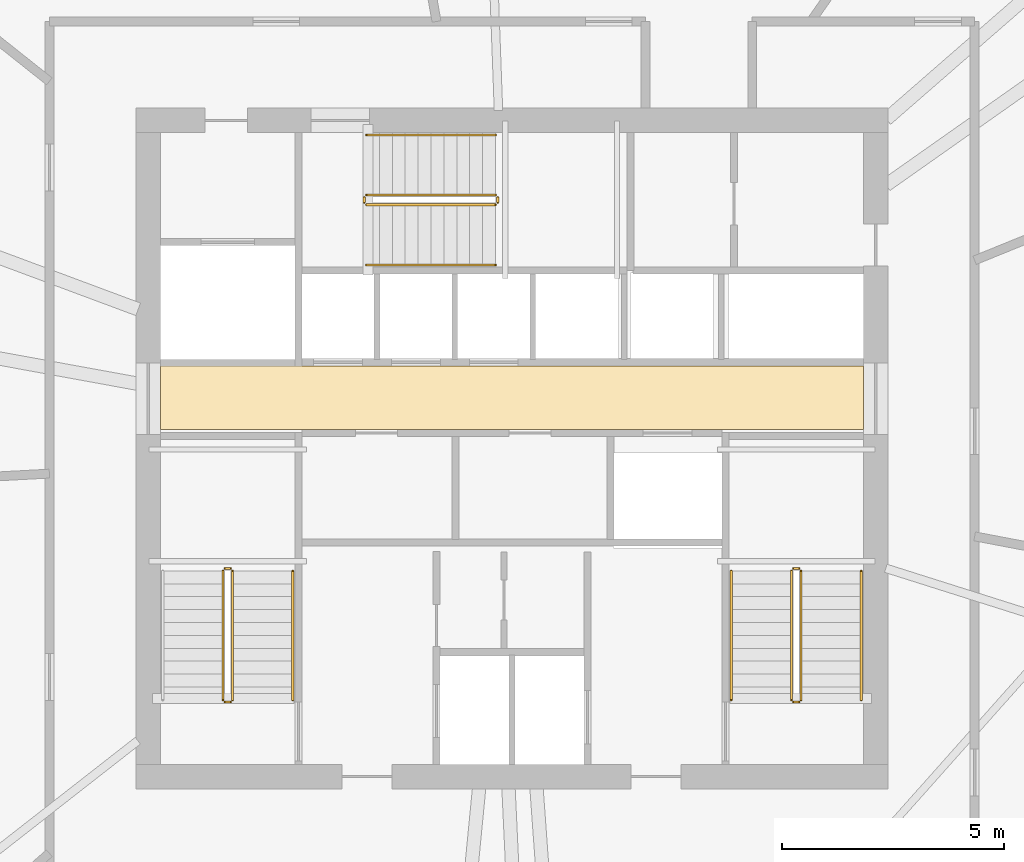
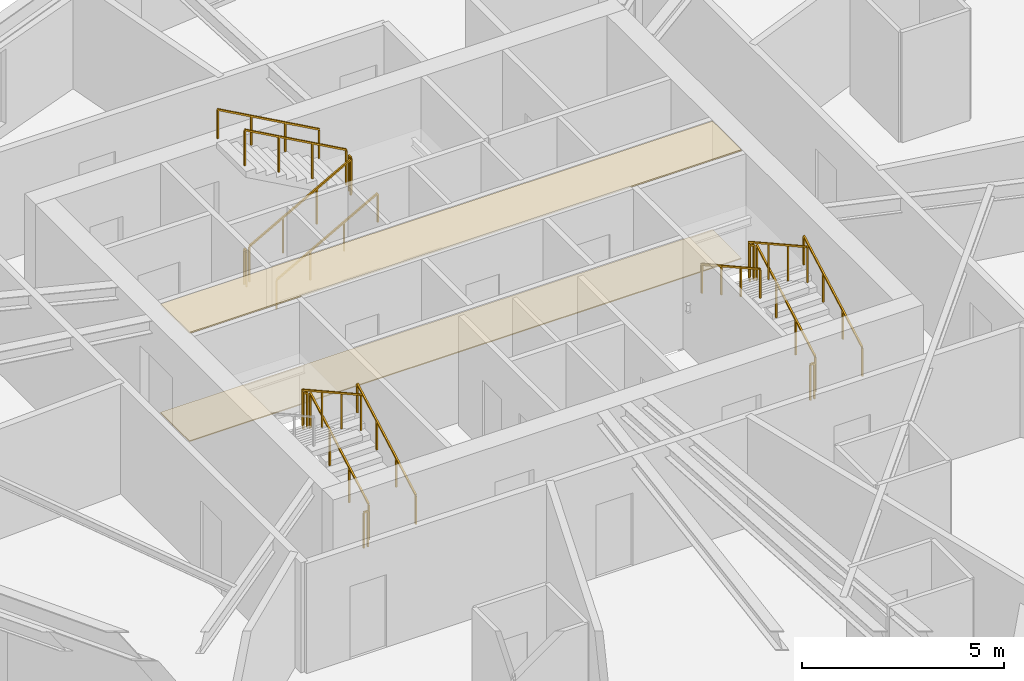
# One storey, part 13 of 14: 17 railings, 2 coverings.
"""IFC4 building model written with IfcOpenShell, lengths in metres."""

from ifc_helpers import new_model, si_unit, direction, frame, origin, origin_2d, place, context, subcontext, project, spatial, polyline, rectangle, outline, extrude, material, layer, layer_set, type_object, element, save


model = new_model("IFC4")

# Units and contexts
model_context = context("Model", 3, precision=1e-05, world=origin(), true_north=direction((0.0, 1.0)))
body_context = subcontext(model_context, "Body", "Model", "MODEL_VIEW")
ifc_project = project(units=[si_unit("LENGTHUNIT", "METRE"), si_unit("AREAUNIT", "SQUARE_METRE"), si_unit("VOLUMEUNIT", "CUBIC_METRE"), si_unit("PLANEANGLEUNIT", "RADIAN"), si_unit("MASSUNIT", "GRAM", prefix="KILO")], contexts=[model_context])

# Site, building, storey
site_placement = place(None, origin())
site = spatial("IfcSite", under=ifc_project, at=site_placement, CompositionType="ELEMENT")
building_placement = place(site_placement, origin())
building = spatial("IfcBuilding", under=site, at=building_placement, Name="Olszyna Solenne Hotel", CompositionType="ELEMENT")
storey_placement = place(building_placement, frame((0.0, 0.0, 185.64990234375)))
storey = spatial("IfcBuildingStorey", under=building, at=storey_placement, Name="L49", CompositionType="ELEMENT", Elevation=185.64990234375)

# Coverings
ifc_material_1 = material(Name="Mineral wool acoustic ceiling")
ifc_layer_1 = layer(ifc_material_1, 0.0400390625, Name="Mineral wool acoustic ceiling")
ifc_layer_set_1 = layer_set([ifc_layer_1], Name="Mineral wool acoustic ceiling")
covering_type_1 = type_object("IfcCoveringType", Name="CL-AC1", PredefinedType="CEILING", material=ifc_layer_set_1)
covering_1_placement = place(storey_placement, frame((0.0, 0.0, 3.27001953125)))
element("IfcCovering", 1, at=covering_1_placement, inside=storey, type_object=covering_type_1, Name="Lift lobby acoustic tile ceiling CL-L49-01", PredefinedType="CEILING", context=body_context, shape_type="SweptSolid", body=[
    extrude(outline(polyline([(30.10009765625, 27.030029296875), (45.89990234375, 27.030029296875), (45.89990234375, 28.4599609375), (30.10009765625, 28.4599609375), (30.10009765625, 27.030029296875)])), origin(), (0.0, 0.0, 1.0), 0.0400390625),
])
ifc_material_2 = material(Name="Ceramic floor tile")
ifc_layer_2 = layer(ifc_material_2, 0.030029296875, Name="Ceramic floor tile")
ifc_layer_set_2 = layer_set([ifc_layer_2], Name="Ceramic floor tile")
covering_type_2 = type_object("IfcCoveringType", Name="FL-TL1", PredefinedType="FLOORING", material=ifc_layer_set_2)
covering_2_placement = place(storey_placement, origin())
element("IfcCovering", 2, at=covering_2_placement, inside=storey, type_object=covering_type_2, Name="Lift lobby stoneware floor finish FLR-L49-01", PredefinedType="FLOORING", context=body_context, shape_type="SweptSolid", body=[
    extrude(outline(polyline([(30.10009765625, 27.030029296875), (45.89990234375, 27.030029296875), (45.89990234375, 28.4599609375), (30.10009765625, 28.4599609375), (30.10009765625, 27.030029296875)])), origin(), (0.0, 0.0, 1.0), 0.030029296875),
])

# Railings
ifc_material_3 = material(Name="Anodised bronze aluminium", Category="aluminium")
railing_type_1 = type_object("IfcRailingType", Name="GR-110", PredefinedType="BALUSTRADE", material=ifc_material_3)
railing_1_placement = place(storey_placement, frame((31.719970703125, 20.949951171875, 0.161376953125)))
element("IfcRailing", 3, at=railing_1_placement, inside=storey, type_object=railing_type_1, Name="L49 ST1 stair guard 1", PredefinedType="BALUSTRADE", context=body_context, shape_type="SweptSolid", body=[
    extrude(rectangle(XDim=0.048095703125, YDim=0.048095703125, at=origin_2d()), frame((0.0, 0.0, 1.076171875), z_axis=(0.0, 0.873827439584, 0.48623616261), x_axis=(-1.0, 0.0, 0.0)), (0.0, 0.0, 1.0), 3.31884765625),
    extrude(rectangle(XDim=0.0419921875, YDim=0.0419921875, at=origin_2d()), origin(), (0.0, 0.0, 1.0), 1.052001953125),
    extrude(rectangle(XDim=0.0419921875, YDim=0.0419921875, at=origin_2d()), frame((0.0, 0.966796875, 0.537841796875)), (0.0, 0.0, 1.0), 1.052001953125),
    extrude(rectangle(XDim=0.0419921875, YDim=0.0419921875, at=origin_2d()), frame((0.0, 1.933349609375, 1.075927734375)), (0.0, 0.0, 1.0), 1.052001953125),
    extrude(rectangle(XDim=0.0419921875, YDim=0.0419921875, at=origin_2d()), frame((0.0, 2.900146484375, 1.61376953125)), (0.0, 0.0, 1.0), 1.052001953125),
])
railing_2_placement = place(storey_placement, frame((31.669921875, 23.89990234375, 1.775146484375)))
element("IfcRailing", 4, at=railing_2_placement, inside=storey, type_object=railing_type_1, Name="L49 ST1 stair guard 2", PredefinedType="BALUSTRADE", context=body_context, shape_type="SweptSolid", body=[
    extrude(rectangle(XDim=0.048095703125, YDim=0.048095703125, at=origin_2d()), frame((0.0, 0.0, 1.076171875), z_axis=(-1.0, 0.0, 0.0), x_axis=(0.0, -1.0, 0.0)), (0.0, 0.0, 1.0), 0.119873046875),
    extrude(rectangle(XDim=0.0419921875, YDim=0.0419921875, at=origin_2d()), origin(), (0.0, 0.0, 1.0), 1.052001953125),
    extrude(rectangle(XDim=0.0419921875, YDim=0.0419921875, at=origin_2d()), frame((-0.119873046875, 0.0, 0.0)), (0.0, 0.0, 1.0), 1.052001953125),
])
railing_3_placement = place(storey_placement, frame((31.5, 23.85009765625, 1.9365234375)))
element("IfcRailing", 5, at=railing_3_placement, inside=storey, type_object=railing_type_1, Name="L49 ST1 stair guard 3", PredefinedType="BALUSTRADE", context=body_context, shape_type="SweptSolid", body=[
    extrude(rectangle(XDim=0.048095703125, YDim=0.048095703125, at=origin_2d()), frame((0.0, 0.0, 1.076171875), z_axis=(0.0, -0.873858693841, 0.486179990537), x_axis=(1.0, 0.0, 0.0)), (0.0, 0.0, 1.0), 3.31884765625),
    extrude(rectangle(XDim=0.0419921875, YDim=0.0419921875, at=origin_2d()), origin(), (0.0, 0.0, 1.0), 1.052001953125),
    extrude(rectangle(XDim=0.0419921875, YDim=0.0419921875, at=origin_2d()), frame((0.0, -0.966796875, 0.537841796875)), (0.0, 0.0, 1.0), 1.052001953125),
    extrude(rectangle(XDim=0.0419921875, YDim=0.0419921875, at=origin_2d()), frame((0.0, -1.933349609375, 1.07568359375)), (0.0, 0.0, 1.0), 1.052001953125),
    extrude(rectangle(XDim=0.0419921875, YDim=0.0419921875, at=origin_2d()), frame((0.0, -2.900146484375, 1.613525390625)), (0.0, 0.0, 1.0), 1.052001953125),
])
railing_4_placement = place(storey_placement, frame((31.669921875, 20.89990234375, 0.0)))
element("IfcRailing", 6, at=railing_4_placement, inside=storey, type_object=railing_type_1, Name="L49 ST1 stair guard 4", PredefinedType="BALUSTRADE", context=body_context, shape_type="SweptSolid", body=[
    extrude(rectangle(XDim=0.048095703125, YDim=0.048095703125, at=origin_2d()), frame((0.0, 0.0, 1.076171875), z_axis=(-1.0, 0.0, 0.0), x_axis=(0.0, -1.0, 0.0)), (0.0, 0.0, 1.0), 0.119873046875),
    extrude(rectangle(XDim=0.0419921875, YDim=0.0419921875, at=origin_2d()), origin(), (0.0, 0.0, 1.0), 1.052001953125),
    extrude(rectangle(XDim=0.0419921875, YDim=0.0419921875, at=origin_2d()), frame((-0.119873046875, 0.0, 0.0)), (0.0, 0.0, 1.0), 1.052001953125),
])
railing_5_placement = place(storey_placement, frame((44.5, 20.949951171875, 0.161376953125)))
element("IfcRailing", 7, at=railing_5_placement, inside=storey, type_object=railing_type_1, Name="L49 ST2 stair guard 1", PredefinedType="BALUSTRADE", context=body_context, shape_type="SweptSolid", body=[
    extrude(rectangle(XDim=0.048095703125, YDim=0.048095703125, at=origin_2d()), frame((0.0, 0.0, 1.076171875), z_axis=(0.0, 0.873827439584, 0.48623616261), x_axis=(-1.0, 0.0, 0.0)), (0.0, 0.0, 1.0), 3.31884765625),
    extrude(rectangle(XDim=0.0419921875, YDim=0.0419921875, at=origin_2d()), origin(), (0.0, 0.0, 1.0), 1.052001953125),
    extrude(rectangle(XDim=0.0419921875, YDim=0.0419921875, at=origin_2d()), frame((0.0, 0.966796875, 0.537841796875)), (0.0, 0.0, 1.0), 1.052001953125),
    extrude(rectangle(XDim=0.0419921875, YDim=0.0419921875, at=origin_2d()), frame((0.0, 1.933349609375, 1.075927734375)), (0.0, 0.0, 1.0), 1.052001953125),
    extrude(rectangle(XDim=0.0419921875, YDim=0.0419921875, at=origin_2d()), frame((0.0, 2.900146484375, 1.61376953125)), (0.0, 0.0, 1.0), 1.052001953125),
])
railing_6_placement = place(storey_placement, frame((44.449951171875, 23.89990234375, 1.775146484375)))
element("IfcRailing", 8, at=railing_6_placement, inside=storey, type_object=railing_type_1, Name="L49 ST2 stair guard 2", PredefinedType="BALUSTRADE", context=body_context, shape_type="SweptSolid", body=[
    extrude(rectangle(XDim=0.048095703125, YDim=0.048095703125, at=origin_2d()), frame((0.0, 0.0, 1.076171875), z_axis=(-1.0, 0.0, 0.0), x_axis=(0.0, -1.0, 0.0)), (0.0, 0.0, 1.0), 0.119873046875),
    extrude(rectangle(XDim=0.0419921875, YDim=0.0419921875, at=origin_2d()), origin(), (0.0, 0.0, 1.0), 1.052001953125),
    extrude(rectangle(XDim=0.0419921875, YDim=0.0419921875, at=origin_2d()), frame((-0.119873046875, 0.0, 0.0)), (0.0, 0.0, 1.0), 1.052001953125),
])
railing_7_placement = place(storey_placement, frame((44.280029296875, 23.85009765625, 1.9365234375)))
element("IfcRailing", 9, at=railing_7_placement, inside=storey, type_object=railing_type_1, Name="L49 ST2 stair guard 3", PredefinedType="BALUSTRADE", context=body_context, shape_type="SweptSolid", body=[
    extrude(rectangle(XDim=0.048095703125, YDim=0.048095703125, at=origin_2d()), frame((0.0, 0.0, 1.076171875), z_axis=(0.0, -0.873858693841, 0.486179990537), x_axis=(1.0, 0.0, 0.0)), (0.0, 0.0, 1.0), 3.31884765625),
    extrude(rectangle(XDim=0.0419921875, YDim=0.0419921875, at=origin_2d()), origin(), (0.0, 0.0, 1.0), 1.052001953125),
    extrude(rectangle(XDim=0.0419921875, YDim=0.0419921875, at=origin_2d()), frame((0.0, -0.966796875, 0.537841796875)), (0.0, 0.0, 1.0), 1.052001953125),
    extrude(rectangle(XDim=0.0419921875, YDim=0.0419921875, at=origin_2d()), frame((0.0, -1.933349609375, 1.07568359375)), (0.0, 0.0, 1.0), 1.052001953125),
    extrude(rectangle(XDim=0.0419921875, YDim=0.0419921875, at=origin_2d()), frame((0.0, -2.900146484375, 1.613525390625)), (0.0, 0.0, 1.0), 1.052001953125),
])
railing_8_placement = place(storey_placement, frame((44.449951171875, 20.89990234375, 0.0)))
element("IfcRailing", 10, at=railing_8_placement, inside=storey, type_object=railing_type_1, Name="L49 ST2 stair guard 4", PredefinedType="BALUSTRADE", context=body_context, shape_type="SweptSolid", body=[
    extrude(rectangle(XDim=0.048095703125, YDim=0.048095703125, at=origin_2d()), frame((0.0, 0.0, 1.076171875), z_axis=(-1.0, 0.0, 0.0), x_axis=(0.0, -1.0, 0.0)), (0.0, 0.0, 1.0), 0.119873046875),
    extrude(rectangle(XDim=0.0419921875, YDim=0.0419921875, at=origin_2d()), origin(), (0.0, 0.0, 1.0), 1.052001953125),
    extrude(rectangle(XDim=0.0419921875, YDim=0.0419921875, at=origin_2d()), frame((-0.119873046875, 0.0, 0.0)), (0.0, 0.0, 1.0), 1.052001953125),
])
railing_9_placement = place(storey_placement, frame((34.72998046875, 32.080078125, 0.161376953125)))
element("IfcRailing", 11, at=railing_9_placement, inside=storey, type_object=railing_type_1, Name="L49 ST3 stair guard 1", PredefinedType="BALUSTRADE", context=body_context, shape_type="SweptSolid", body=[
    extrude(rectangle(XDim=0.048095703125, YDim=0.048095703125, at=origin_2d()), frame((0.0, 0.0, 1.076171875), z_axis=(0.873810046276, 0.0, 0.486267419253), x_axis=(0.0, 1.0, 0.0)), (0.0, 0.0, 1.0), 3.318603515625),
    extrude(rectangle(XDim=0.0419921875, YDim=0.0419921875, at=origin_2d()), origin(), (0.0, 0.0, 1.0), 1.052001953125),
    extrude(rectangle(XDim=0.0419921875, YDim=0.0419921875, at=origin_2d()), frame((0.966552734375, 0.0, 0.537841796875)), (0.0, 0.0, 1.0), 1.052001953125),
    extrude(rectangle(XDim=0.0419921875, YDim=0.0419921875, at=origin_2d()), frame((1.933349609375, 0.0, 1.075927734375)), (0.0, 0.0, 1.0), 1.052001953125),
    extrude(rectangle(XDim=0.0419921875, YDim=0.0419921875, at=origin_2d()), frame((2.89990234375, 0.0, 1.61376953125)), (0.0, 0.0, 1.0), 1.052001953125),
])
railing_10_placement = place(storey_placement, frame((37.679931640625, 32.1298828125, 1.775146484375)))
element("IfcRailing", 12, at=railing_10_placement, inside=storey, type_object=railing_type_1, Name="L49 ST3 stair guard 2", PredefinedType="BALUSTRADE", context=body_context, shape_type="SweptSolid", body=[
    extrude(rectangle(XDim=0.048095703125, YDim=0.048095703125, at=origin_2d()), frame((0.0, 0.0, 1.076171875), z_axis=(0.0, 1.0, 0.0), x_axis=(-1.0, 0.0, 0.0)), (0.0, 0.0, 1.0), 0.1201171875),
    extrude(rectangle(XDim=0.0419921875, YDim=0.0419921875, at=origin_2d()), origin(), (0.0, 0.0, 1.0), 1.052001953125),
    extrude(rectangle(XDim=0.0419921875, YDim=0.0419921875, at=origin_2d()), frame((0.0, 0.1201171875, 0.0)), (0.0, 0.0, 1.0), 1.052001953125),
])
railing_11_placement = place(storey_placement, frame((37.6298828125, 32.300048828125, 1.9365234375)))
element("IfcRailing", 13, at=railing_11_placement, inside=storey, type_object=railing_type_1, Name="L49 ST3 stair guard 3", PredefinedType="BALUSTRADE", context=body_context, shape_type="SweptSolid", body=[
    extrude(rectangle(XDim=0.048095703125, YDim=0.048095703125, at=origin_2d()), frame((0.0, 0.0, 1.076171875), z_axis=(-0.873841303929, 0.0, 0.486211245805), x_axis=(0.0, -1.0, 0.0)), (0.0, 0.0, 1.0), 3.318603515625),
    extrude(rectangle(XDim=0.0419921875, YDim=0.0419921875, at=origin_2d()), origin(), (0.0, 0.0, 1.0), 1.052001953125),
    extrude(rectangle(XDim=0.0419921875, YDim=0.0419921875, at=origin_2d()), frame((-0.966552734375, 0.0, 0.537841796875)), (0.0, 0.0, 1.0), 1.052001953125),
    extrude(rectangle(XDim=0.0419921875, YDim=0.0419921875, at=origin_2d()), frame((-1.933349609375, 0.0, 1.07568359375)), (0.0, 0.0, 1.0), 1.052001953125),
    extrude(rectangle(XDim=0.0419921875, YDim=0.0419921875, at=origin_2d()), frame((-2.89990234375, 0.0, 1.613525390625)), (0.0, 0.0, 1.0), 1.052001953125),
])
railing_12_placement = place(storey_placement, frame((34.679931640625, 32.1298828125, 0.0)))
element("IfcRailing", 14, at=railing_12_placement, inside=storey, type_object=railing_type_1, Name="L49 ST3 stair guard 4", PredefinedType="BALUSTRADE", context=body_context, shape_type="SweptSolid", body=[
    extrude(rectangle(XDim=0.048095703125, YDim=0.048095703125, at=origin_2d()), frame((0.0, 0.0, 1.076171875), z_axis=(0.0, 1.0, 0.0), x_axis=(-1.0, 0.0, 0.0)), (0.0, 0.0, 1.0), 0.1201171875),
    extrude(rectangle(XDim=0.0419921875, YDim=0.0419921875, at=origin_2d()), origin(), (0.0, 0.0, 1.0), 1.052001953125),
    extrude(rectangle(XDim=0.0419921875, YDim=0.0419921875, at=origin_2d()), frame((0.0, 0.1201171875, 0.0)), (0.0, 0.0, 1.0), 1.052001953125),
])
ifc_material_4 = material(Name="Steel S355J2", Category="steel")
railing_type_2 = type_object("IfcRailingType", Name="HR-090", PredefinedType="HANDRAIL", material=ifc_material_4)
for number, where, name in (
    (15, (33.070068359375, 20.949951171875, 0.161376953125), "L49 ST1 stair handrail 1"),
    (16, (45.85009765625, 20.949951171875, 0.161376953125), "L49 ST2 stair handrail 1"),
):
    element("IfcRailing", number, at=place(storey_placement, frame(where)), inside=storey, type_object=railing_type_2, Name=name, PredefinedType="HANDRAIL", context=body_context, shape_type="SweptSolid", body=[
        extrude(rectangle(XDim=0.048095703125, YDim=0.048095703125, at=origin_2d()), frame((0.0, 0.0, 0.8759765625), z_axis=(0.0, 0.873827439584, 0.48623616261), x_axis=(-1.0, 0.0, 0.0)), (0.0, 0.0, 1.0), 3.31884765625),
        extrude(rectangle(XDim=0.0419921875, YDim=0.0419921875, at=origin_2d()), origin(), (0.0, 0.0, 1.0), 0.851806640625),
        extrude(rectangle(XDim=0.0419921875, YDim=0.0419921875, at=origin_2d()), frame((0.0, 0.966796875, 0.537841796875)), (0.0, 0.0, 1.0), 0.851806640625),
        extrude(rectangle(XDim=0.0419921875, YDim=0.0419921875, at=origin_2d()), frame((0.0, 1.933349609375, 1.075927734375)), (0.0, 0.0, 1.0), 0.851806640625),
        extrude(rectangle(XDim=0.0419921875, YDim=0.0419921875, at=origin_2d()), frame((0.0, 2.900146484375, 1.61376953125)), (0.0, 0.0, 1.0), 0.851806640625),
    ])
railing_13_placement = place(storey_placement, frame((42.929931640625, 23.85009765625, 1.9365234375)))
element("IfcRailing", 17, at=railing_13_placement, inside=storey, type_object=railing_type_2, Name="L49 ST2 stair handrail 2", PredefinedType="HANDRAIL", context=body_context, shape_type="SweptSolid", body=[
    extrude(rectangle(XDim=0.048095703125, YDim=0.048095703125, at=origin_2d()), frame((0.0, 0.0, 0.8759765625), z_axis=(0.0, -0.873858693841, 0.486179990537), x_axis=(1.0, 0.0, 0.0)), (0.0, 0.0, 1.0), 3.31884765625),
    extrude(rectangle(XDim=0.0419921875, YDim=0.0419921875, at=origin_2d()), origin(), (0.0, 0.0, 1.0), 0.851806640625),
    extrude(rectangle(XDim=0.0419921875, YDim=0.0419921875, at=origin_2d()), frame((0.0, -0.966796875, 0.537841796875)), (0.0, 0.0, 1.0), 0.851806640625),
    extrude(rectangle(XDim=0.0419921875, YDim=0.0419921875, at=origin_2d()), frame((0.0, -1.933349609375, 1.07568359375)), (0.0, 0.0, 1.0), 0.851806640625),
    extrude(rectangle(XDim=0.0419921875, YDim=0.0419921875, at=origin_2d()), frame((0.0, -2.900146484375, 1.613525390625)), (0.0, 0.0, 1.0), 0.851806640625),
])
railing_14_placement = place(storey_placement, frame((34.72998046875, 30.72998046875, 0.161376953125)))
element("IfcRailing", 18, at=railing_14_placement, inside=storey, type_object=railing_type_2, Name="L49 ST3 stair handrail 1", PredefinedType="HANDRAIL", context=body_context, shape_type="SweptSolid", body=[
    extrude(rectangle(XDim=0.048095703125, YDim=0.048095703125, at=origin_2d()), frame((0.0, 0.0, 0.8759765625), z_axis=(0.873810046276, 0.0, 0.486267419253), x_axis=(0.0, 1.0, 0.0)), (0.0, 0.0, 1.0), 3.318603515625),
    extrude(rectangle(XDim=0.0419921875, YDim=0.0419921875, at=origin_2d()), origin(), (0.0, 0.0, 1.0), 0.851806640625),
    extrude(rectangle(XDim=0.0419921875, YDim=0.0419921875, at=origin_2d()), frame((0.966552734375, 0.0, 0.537841796875)), (0.0, 0.0, 1.0), 0.851806640625),
    extrude(rectangle(XDim=0.0419921875, YDim=0.0419921875, at=origin_2d()), frame((1.933349609375, 0.0, 1.075927734375)), (0.0, 0.0, 1.0), 0.851806640625),
    extrude(rectangle(XDim=0.0419921875, YDim=0.0419921875, at=origin_2d()), frame((2.89990234375, 0.0, 1.61376953125)), (0.0, 0.0, 1.0), 0.851806640625),
])
railing_15_placement = place(storey_placement, frame((37.6298828125, 33.64990234375, 1.9365234375)))
element("IfcRailing", 19, at=railing_15_placement, inside=storey, type_object=railing_type_2, Name="L49 ST3 stair handrail 2", PredefinedType="HANDRAIL", context=body_context, shape_type="SweptSolid", body=[
    extrude(rectangle(XDim=0.048095703125, YDim=0.048095703125, at=origin_2d()), frame((0.0, 0.0, 0.8759765625), z_axis=(-0.873841303929, 0.0, 0.486211245805), x_axis=(0.0, -1.0, 0.0)), (0.0, 0.0, 1.0), 3.318603515625),
    extrude(rectangle(XDim=0.0419921875, YDim=0.0419921875, at=origin_2d()), origin(), (0.0, 0.0, 1.0), 0.851806640625),
    extrude(rectangle(XDim=0.0419921875, YDim=0.0419921875, at=origin_2d()), frame((-0.966552734375, 0.0, 0.537841796875)), (0.0, 0.0, 1.0), 0.851806640625),
    extrude(rectangle(XDim=0.0419921875, YDim=0.0419921875, at=origin_2d()), frame((-1.933349609375, 0.0, 1.07568359375)), (0.0, 0.0, 1.0), 0.851806640625),
    extrude(rectangle(XDim=0.0419921875, YDim=0.0419921875, at=origin_2d()), frame((-2.89990234375, 0.0, 1.613525390625)), (0.0, 0.0, 1.0), 0.851806640625),
])

save(model, "model.ifc")
